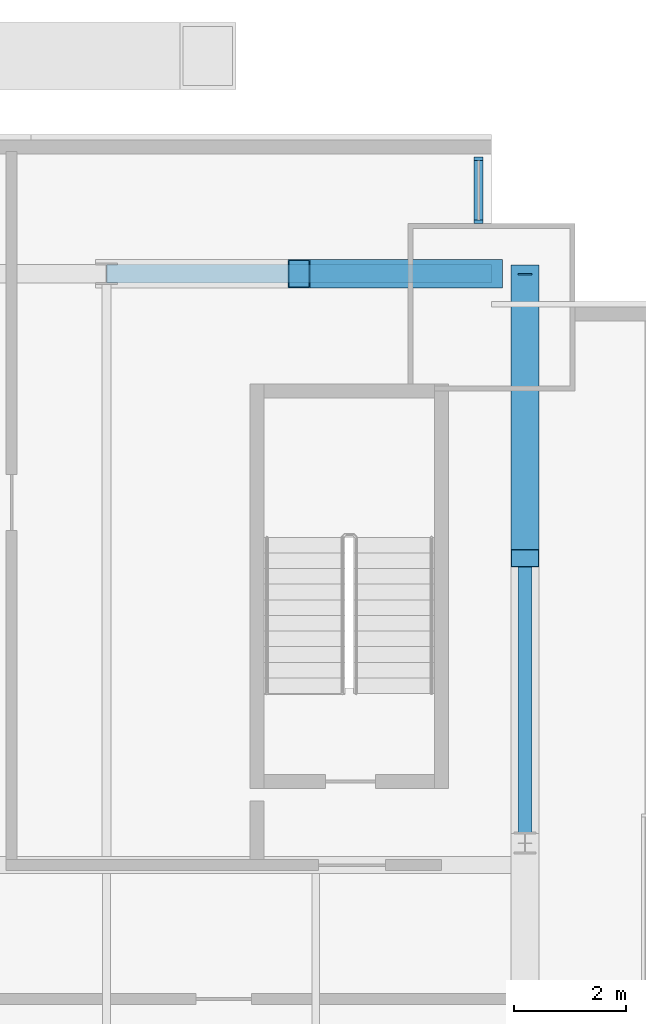
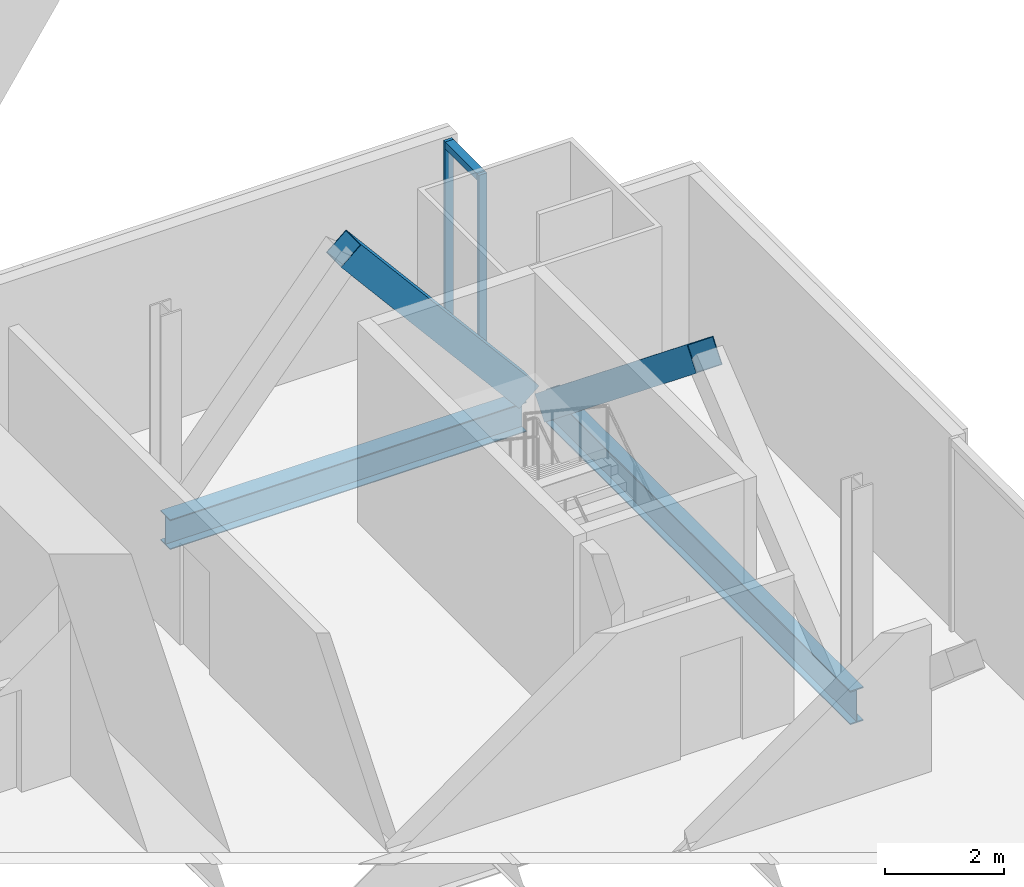
# One storey, part 13 of 21: 5 members, 2 beams, 1 element without a shape of its own.
"""IFC4 building model written with IfcOpenShell, lengths in metres."""

from ifc_helpers import new_model, si_unit, direction, frame, origin, origin_2d, place, context, subcontext, project, spatial, rectangle, hollow_rectangle, i_section, extrude, material, material_profile, profile_set, type_object, element, aggregate, save


model = new_model("IFC4")

# Units and contexts
model_context = context("Model", 3, precision=1e-05, world=origin(), true_north=direction((0.0, 1.0)))
body_context = subcontext(model_context, "Body", "Model", "MODEL_VIEW")
ifc_project = project(units=[si_unit("LENGTHUNIT", "METRE"), si_unit("AREAUNIT", "SQUARE_METRE"), si_unit("VOLUMEUNIT", "CUBIC_METRE"), si_unit("PLANEANGLEUNIT", "RADIAN"), si_unit("MASSUNIT", "GRAM", prefix="KILO")], contexts=[model_context])

# Site, building, storey
site_placement = place(None, origin())
site = spatial("IfcSite", under=ifc_project, at=site_placement, CompositionType="ELEMENT")
building_placement = place(site_placement, origin())
building = spatial("IfcBuilding", under=site, at=building_placement, Name="Bicima Exchange Tower", CompositionType="ELEMENT")
storey_placement = place(building_placement, frame((0.0, 0.0, 118.60009765625)))
storey = spatial("IfcBuildingStorey", under=building, at=storey_placement, Name="L25", CompositionType="ELEMENT", Elevation=118.60009765625)

# Beam
ifc_material_1 = material(Name="Steel ASTM A992 Gr 50", Category="steel")
ifc_material_profile_1 = material_profile(ifc_material_1, i_section(OverallWidth=0.256591796875, OverallDepth=0.693359375, WebThickness=0.014404296875, FlangeThickness=0.023681640625, at=origin_2d()))
ifc_profile_set_1 = profile_set([ifc_material_profile_1], Name="Steel ASTM A992 Gr 50")
beam_type_1 = type_object("IfcBeamType", Name="End girder W27x114", PredefinedType="BEAM", material=ifc_profile_set_1)
beam_1_placement = place(storey_placement, frame((33.60009765625, -2.39990234375, -0.496826171875), z_axis=(0.0, -1.0, 0.0), x_axis=(1.0, 0.0, 0.0)))
element("IfcBeam", 1, at=beam_1_placement, inside=storey, type_object=beam_type_1, Name="End girder", PredefinedType="BEAM", context=body_context, shape_type="SweptSolid", body=[
    extrude(i_section(OverallWidth=0.256591796875, OverallDepth=0.693359375, WebThickness=0.014404296875, FlangeThickness=0.023681640625, at=origin_2d()), origin(), (0.0, 0.0, 1.0), 10.2001953125),
])

# Curtain wall, members
ifc_material_2 = material(Name="Anodised bronze aluminium", Category="aluminium")
curtain_wall_type = type_object("IfcCurtainWallType", Name="Front glass wall", PredefinedType="NOTDEFINED", material=ifc_material_2)
curtain_wall_placement = place(storey_placement, origin())
curtain_wall = element("IfcCurtainWall", 2, at=curtain_wall_placement, inside=storey, type_object=curtain_wall_type, Name="Front glass wall L25 run 20", PredefinedType="NOTDEFINED")
ifc_material_profile_2 = material_profile(ifc_material_2, rectangle(XDim=0.159912109375, YDim=0.06005859375, at=origin_2d()))
ifc_profile_set_2 = profile_set([ifc_material_profile_2], Name="Anodised bronze aluminium")
member_type_1 = type_object("IfcMemberType", Name="Front glass wall mullion 60 x 160", PredefinedType="MULLION", material=ifc_profile_set_2)
member_1_placement = place(storey_placement, frame((32.77001953125, -1.469970703125, 0.0), z_axis=(0.0, 0.0, 1.0), x_axis=(-1.0, 0.0, 0.0)))
member_1 = element("IfcMember", 3, at=member_1_placement, type_object=member_type_1, Name="Front glass wall mullion 1", PredefinedType="MULLION", context=body_context, shape_type="SweptSolid", body=[
    extrude(rectangle(XDim=0.159912109375, YDim=0.06005859375, at=origin_2d()), origin(), (0.0, 0.0, 1.0), 3.949951171875),
])
member_2_placement = place(storey_placement, frame((32.77001953125, -0.340087890625, 0.0), z_axis=(0.0, 0.0, 1.0), x_axis=(-1.0, 0.0, 0.0)))
member_2 = element("IfcMember", 4, at=member_2_placement, type_object=member_type_1, Name="Front glass wall mullion 2", PredefinedType="MULLION", context=body_context, shape_type="SweptSolid", body=[
    extrude(rectangle(XDim=0.159912109375, YDim=0.06005859375, at=origin_2d()), origin(), (0.0, 0.0, 1.0), 3.949951171875),
])
ifc_material_profile_3 = material_profile(ifc_material_2, rectangle(XDim=0.159912109375, YDim=0.139892578125, at=origin_2d()))
ifc_profile_set_3 = profile_set([ifc_material_profile_3], Name="Anodised bronze aluminium")
member_type_2 = type_object("IfcMemberType", Name="Front glass wall transom 140 x 160", PredefinedType="USERDEFINED", material=ifc_profile_set_3)
member_3_placement = place(storey_placement, frame((32.77001953125, -1.43994140625, 3.8798828125), z_axis=(0.0, 1.0, 0.0), x_axis=(-1.0, 0.0, 0.0)))
member_3 = element("IfcMember", 5, at=member_3_placement, type_object=member_type_2, Name="Front glass wall transom 1.1", ObjectType="TRANSOM", PredefinedType="USERDEFINED", context=body_context, shape_type="SweptSolid", body=[
    extrude(rectangle(XDim=0.159912109375, YDim=0.139892578125, at=origin_2d()), origin(), (0.0, 0.0, 1.0), 1.06982421875),
])
aggregate(curtain_wall, [member_1, member_2, member_3])

# Members
ifc_material_3 = material(Name="Steel ASTM A572 Gr 50", Category="steel")
ifc_material_profile_4 = material_profile(ifc_material_3, hollow_rectangle(XDim=0.508056640625, YDim=0.508056640625, WallThickness=0.0146484375, at=origin_2d()))
ifc_profile_set_4 = profile_set([ifc_material_profile_4], Name="Steel ASTM A572 Gr 50")
member_type_3 = type_object("IfcMemberType", Name="Mega brace HSS20x20x5/8", PredefinedType="BRACE", material=ifc_profile_set_4)
member_4_placement = place(storey_placement, frame((33.0, -2.39990234375, 0.0), z_axis=(-0.643856488545, 0.0, 0.765146275008), x_axis=(0.0, -1.0, 0.0)))
element("IfcMember", 6, at=member_4_placement, inside=storey, type_object=member_type_3, Name="Mega brace rear", PredefinedType="BRACE", context=body_context, shape_type="SweptSolid", body=[
    extrude(hollow_rectangle(XDim=0.508056640625, YDim=0.508056640625, WallThickness=0.0146484375, at=origin_2d()), origin(), (0.0, 0.0, 1.0), 5.358154296875),
])
member_5_placement = place(storey_placement, frame((33.60009765625, -2.39990234375, -0.496826171875), z_axis=(0.0, -0.779374241895, 0.626558689247), x_axis=(1.0, 0.0, 0.0)))
element("IfcMember", 7, at=member_5_placement, inside=storey, type_object=member_type_3, Name="Mega brace east end", PredefinedType="BRACE", context=body_context, shape_type="SweptSolid", body=[
    extrude(hollow_rectangle(XDim=0.508056640625, YDim=0.508056640625, WallThickness=0.0146484375, at=origin_2d()), origin(), (0.0, 0.0, 1.0), 6.5439453125),
])

# Beam
ifc_material_profile_5 = material_profile(ifc_material_1, i_section(OverallWidth=0.3251953125, OverallDepth=0.612060546875, WebThickness=0.0126953125, FlangeThickness=0.01904296875, at=origin_2d()))
ifc_profile_set_5 = profile_set([ifc_material_profile_5], Name="Steel ASTM A992 Gr 50")
beam_type_2 = type_object("IfcBeamType", Name="Rear girder W24x104", PredefinedType="BEAM", material=ifc_profile_set_5)
beam_2_placement = place(storey_placement, frame((26.10009765625, -2.39990234375, -0.456298828125), z_axis=(1.0, 0.0, 0.0), x_axis=(0.0, 1.0, 0.0)))
element("IfcBeam", 8, at=beam_2_placement, inside=storey, type_object=beam_type_2, Name="Rear girder", PredefinedType="BEAM", context=body_context, shape_type="SweptSolid", body=[
    extrude(i_section(OverallWidth=0.3251953125, OverallDepth=0.612060546875, WebThickness=0.0126953125, FlangeThickness=0.01904296875, at=origin_2d()), origin(), (0.0, 0.0, 1.0), 6.89990234375),
])

save(model, "model.ifc")
